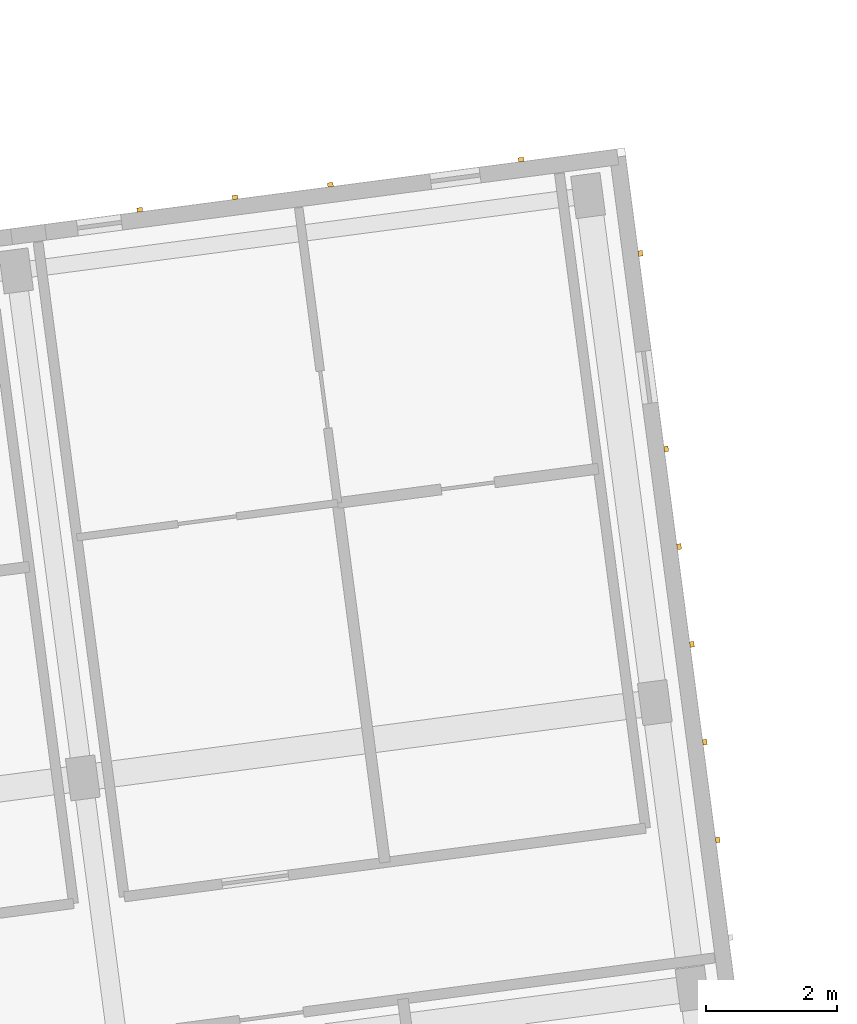
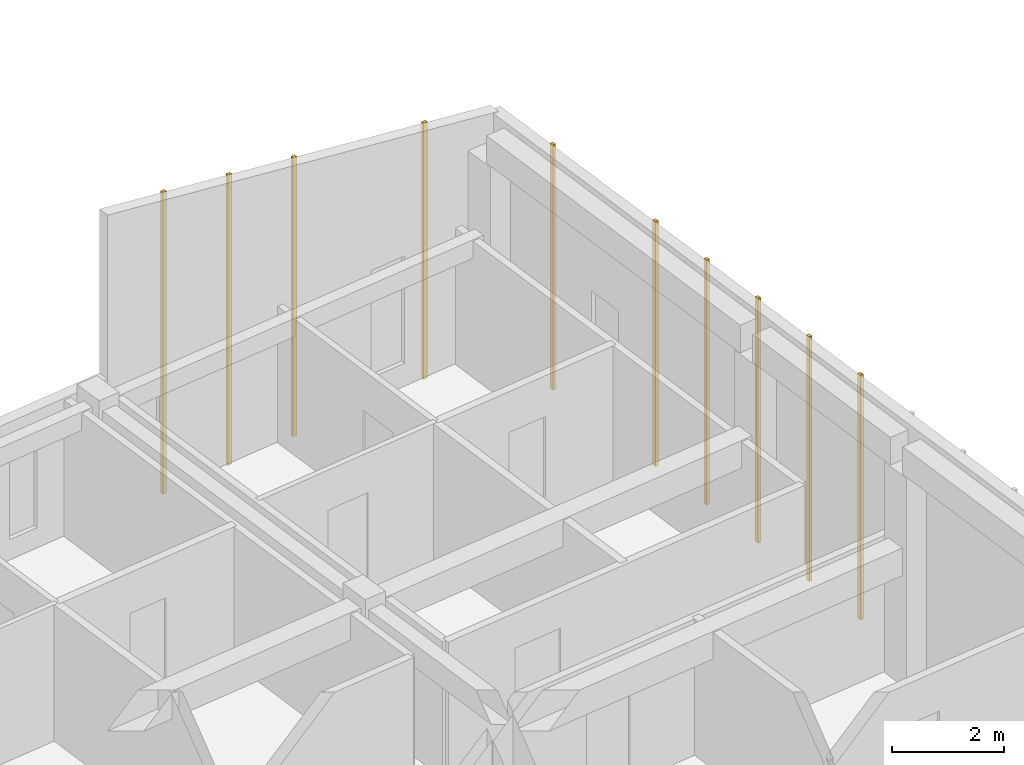
# One storey, part 27 of 31: 10 coverings.
"""IFC4 building model written with IfcOpenShell, lengths in metres."""

from ifc_helpers import new_model, si_unit, direction, frame, origin, origin_2d, place, context, subcontext, project, spatial, rectangle, extrude, material, layer, layer_set, type_object, element, save


model = new_model("IFC4")

# Units and contexts
model_context = context("Model", 3, precision=1e-05, world=origin(), true_north=direction((0.0, 1.0)))
body_context = subcontext(model_context, "Body", "Model", "MODEL_VIEW")
ifc_project = project(units=[si_unit("LENGTHUNIT", "METRE"), si_unit("AREAUNIT", "SQUARE_METRE"), si_unit("VOLUMEUNIT", "CUBIC_METRE"), si_unit("PLANEANGLEUNIT", "RADIAN"), si_unit("MASSUNIT", "GRAM", prefix="KILO")], contexts=[model_context])

# Site, building, storey
site_placement = place(None, origin())
site = spatial("IfcSite", under=ifc_project, at=site_placement, CompositionType="ELEMENT")
building_placement = place(site_placement, origin())
building = spatial("IfcBuilding", under=site, at=building_placement, Name="Kestramere Prow Commons", CompositionType="ELEMENT")
storey_placement = place(building_placement, frame((0.0, 0.0, 37.64990234375)))
storey = spatial("IfcBuildingStorey", under=building, at=storey_placement, Name="L11", CompositionType="ELEMENT", Elevation=37.64990234375)

# Coverings
ifc_material = material(Name="Weathered Zinc-Titanium Standing-Seam Cladding")
ifc_layer = layer(ifc_material, 0.074951171875)
ifc_layer_set = layer_set([ifc_layer], Name="Weathered Zinc-Titanium Standing-Seam Cladding")
covering_type = type_object("IfcCoveringType", Name="COV-CLAD-SEAM", PredefinedType="CLADDING", material=ifc_layer_set)
covering_1_placement = place(storey_placement, frame((54.099365234375, 98.503662109375, -0.25), z_axis=(0.0, 0.0, 1.0), x_axis=(0.991444861374, 0.13052619222, 0.0)))
element("IfcCovering", 1, at=covering_1_placement, inside=storey, type_object=covering_type, Name="EW-A-L11-N-5 Standing-Seam Rib 1", PredefinedType="CLADDING", context=body_context, shape_type="SweptSolid", body=[
    extrude(rectangle(XDim=0.0849609375, YDim=0.06494140625, at=origin_2d()), origin(), (0.0, 0.0, 1.0), 6.57421875),
])
covering_2_placement = place(storey_placement, frame((55.553466796875, 98.695068359375, -0.25), z_axis=(0.0, 0.0, 1.0), x_axis=(0.991444861374, 0.13052619222, 0.0)))
element("IfcCovering", 2, at=covering_2_placement, inside=storey, type_object=covering_type, Name="EW-A-L11-N-5 Standing-Seam Rib 2", PredefinedType="CLADDING", context=body_context, shape_type="SweptSolid", body=[
    extrude(rectangle(XDim=0.0849609375, YDim=0.06494140625, at=origin_2d()), origin(), (0.0, 0.0, 1.0), 6.325927734375),
])
covering_3_placement = place(storey_placement, frame((57.007568359375, 98.886474609375, -0.249755859375), z_axis=(0.0, 0.0, 1.0), x_axis=(0.991444861374, 0.13052619222, 0.0)))
element("IfcCovering", 3, at=covering_3_placement, inside=storey, type_object=covering_type, Name="EW-A-L11-N-5 Standing-Seam Rib 3", PredefinedType="CLADDING", context=body_context, shape_type="SweptSolid", body=[
    extrude(rectangle(XDim=0.0849609375, YDim=0.06494140625, at=origin_2d()), origin(), (0.0, 0.0, 1.0), 6.07763671875),
])
covering_4_placement = place(storey_placement, frame((59.915771484375, 99.26953125, -0.25), z_axis=(0.0, 0.0, 1.0), x_axis=(0.991444861374, 0.13052619222, 0.0)))
element("IfcCovering", 4, at=covering_4_placement, inside=storey, type_object=covering_type, Name="EW-A-L11-N-5 Standing-Seam Rib 5", PredefinedType="CLADDING", context=body_context, shape_type="SweptSolid", body=[
    extrude(rectangle(XDim=0.0849609375, YDim=0.06494140625, at=origin_2d()), origin(), (0.0, 0.0, 1.0), 5.581298828125),
])
for number, where, z_axis, x_axis, name in (
    (5, (61.7373046875, 97.8388671875, -0.25), (0.0, 0.0, 1.0), (0.13052619222, -0.991444861374, 0.0), "EW-A-L11-EAV Standing-Seam Rib 1"),
    (6, (62.129638671875, 94.857421875, -0.25), (0.0, 0.0, 1.0), (0.13052619222, -0.991444861374, 0.0), "EW-A-L11-EAV Standing-Seam Rib 3"),
    (7, (62.325927734375, 93.36669921875, -0.25), (0.0, 0.0, 1.0), (0.13052619222, -0.991444861374, 0.0), "EW-A-L11-EAV Standing-Seam Rib 4"),
    (8, (62.522216796875, 91.8759765625, -0.25), (0.0, 0.0, 1.0), (0.13052619222, -0.991444861374, 0.0), "EW-A-L11-EAV Standing-Seam Rib 5"),
    (9, (62.718505859375, 90.38525390625, -0.25), (0.0, 0.0, 1.0), (0.13052619222, -0.991444861374, 0.0), "EW-A-L11-EAV Standing-Seam Rib 6"),
    (10, (62.914794921875, 88.894775390625, -0.25), (0.0, 0.0, 1.0), (0.13052619222, -0.991444861374, 0.0), "EW-A-L11-EAV Standing-Seam Rib 7"),
):
    element("IfcCovering", number, at=place(storey_placement, frame(where, z_axis=z_axis, x_axis=x_axis)), inside=storey, type_object=covering_type, Name=name, PredefinedType="CLADDING", context=body_context, shape_type="SweptSolid", body=[
        extrude(rectangle(XDim=0.0849609375, YDim=0.06494140625, at=origin_2d()), origin(), (0.0, 0.0, 1.0), 5.3330078125),
    ])

save(model, "model.ifc")
